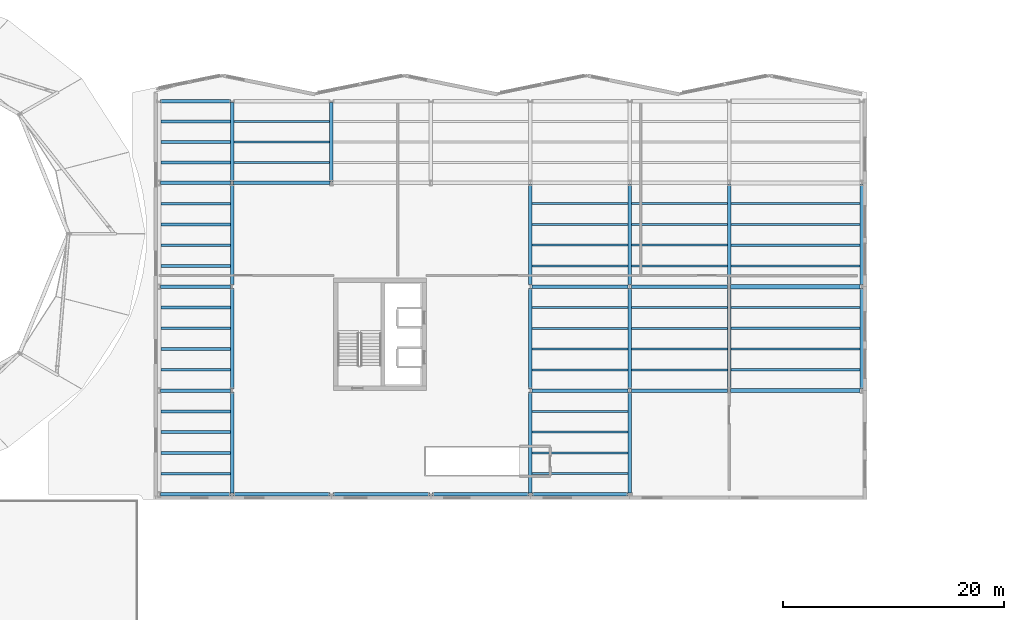
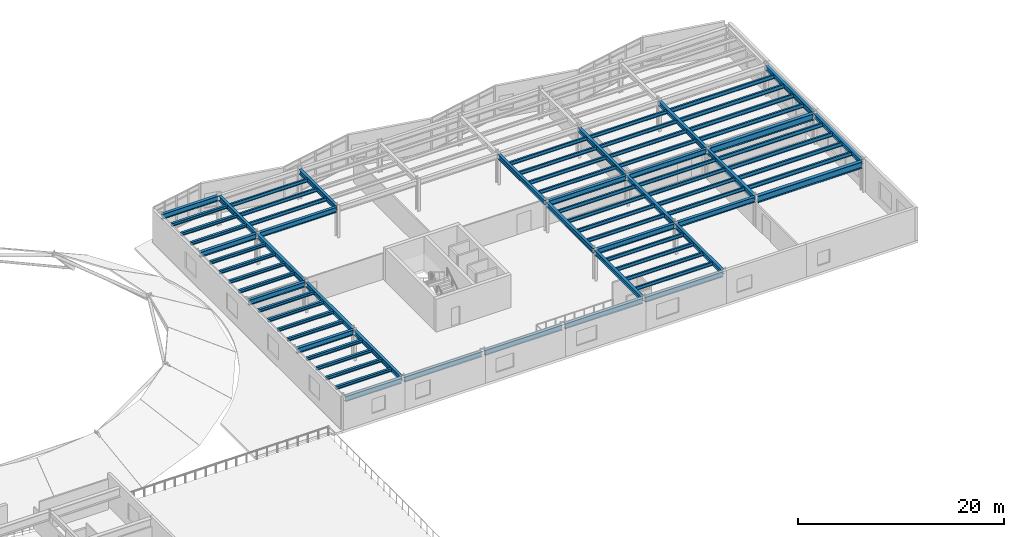
# One storey, part 17 of 59: 77 beams.
"""IFC4 building model written with IfcOpenShell, lengths in metres."""

from ifc_helpers import new_model, si_unit, direction, frame, origin, origin_2d, place, context, subcontext, project, spatial, i_section, extrude, material, material_profile, profile_set, type_object, element, save


model = new_model("IFC4")

# Units and contexts
model_context = context("Model", 3, precision=1e-05, world=origin(), true_north=direction((0.0, 1.0)))
body_context = subcontext(model_context, "Body", "Model", "MODEL_VIEW")
ifc_project = project(units=[si_unit("LENGTHUNIT", "METRE"), si_unit("AREAUNIT", "SQUARE_METRE"), si_unit("VOLUMEUNIT", "CUBIC_METRE"), si_unit("PLANEANGLEUNIT", "RADIAN"), si_unit("MASSUNIT", "GRAM", prefix="KILO")], contexts=[model_context])

# Site, building, storey
site_placement = place(None, origin())
site = spatial("IfcSite", under=ifc_project, at=site_placement, CompositionType="ELEMENT")
building_placement = place(site_placement, origin())
building = spatial("IfcBuilding", under=site, at=building_placement, Name="Sollismere Congress Hotel", CompositionType="ELEMENT")
storey_placement = place(building_placement, frame((0.0, 0.0, 15.60009765625)))
storey = spatial("IfcBuildingStorey", under=building, at=storey_placement, Name="L03", CompositionType="ELEMENT", Elevation=15.60009765625)

# Beams
ifc_material = material(Name="Steel ASTM A992 Grade 50", Category="steel")
ifc_material_profile_1 = material_profile(ifc_material, i_section(OverallWidth=0.31494140625, OverallDepth=0.551025390625, WebThickness=0.01513671875, FlangeThickness=0.0244140625, at=origin_2d()), Name="W21X122")
ifc_profile_set_1 = profile_set([ifc_material_profile_1], Name="Steel ASTM A992 Grade 50")
beam_type_1 = type_object("IfcBeamType", Name="BM-G21H", PredefinedType="BEAM", material=ifc_profile_set_1)
beam_1_placement = place(storey_placement, frame((67.0, 66.93994140625, 3.349365234375), z_axis=(0.0, 1.0, 0.0), x_axis=(-1.0, 0.0, 0.0)))
element("IfcBeam", 1, at=beam_1_placement, inside=storey, type_object=beam_type_1, Name="Beam BM-L03-2429", PredefinedType="BEAM", context=body_context, shape_type="SweptSolid", body=[
    extrude(i_section(OverallWidth=0.31494140625, OverallDepth=0.551025390625, WebThickness=0.01513671875, FlangeThickness=0.0244140625, at=origin_2d()), origin(), (0.0, 0.0, 1.0), 9.1201171875),
])
beam_2_placement = place(storey_placement, frame((67.0, 76.340087890625, 3.349365234375), z_axis=(0.0, 1.0, 0.0), x_axis=(-1.0, 0.0, 0.0)))
element("IfcBeam", 2, at=beam_2_placement, inside=storey, type_object=beam_type_1, Name="Beam BM-L03-2430", PredefinedType="BEAM", context=body_context, shape_type="SweptSolid", body=[
    extrude(i_section(OverallWidth=0.31494140625, OverallDepth=0.551025390625, WebThickness=0.01513671875, FlangeThickness=0.0244140625, at=origin_2d()), origin(), (0.0, 0.0, 1.0), 9.119873046875),
])
beam_3_placement = place(storey_placement, frame((67.0, 85.739990234375, 3.349365234375), z_axis=(0.0, 1.0, 0.0), x_axis=(-1.0, 0.0, 0.0)))
element("IfcBeam", 3, at=beam_3_placement, inside=storey, type_object=beam_type_1, Name="Beam BM-L03-2431", PredefinedType="BEAM", context=body_context, shape_type="SweptSolid", body=[
    extrude(i_section(OverallWidth=0.31494140625, OverallDepth=0.551025390625, WebThickness=0.01513671875, FlangeThickness=0.0244140625, at=origin_2d()), origin(), (0.0, 0.0, 1.0), 9.1201171875),
])
for number, where, z_axis, x_axis, name in (
    (4, (67.0, 95.139892578125, 3.349365234375), (0.0, 1.0, 0.0), (-1.0, 0.0, 0.0), "Beam BM-L03-2432"),
    (5, (76.0, 95.139892578125, 3.349365234375), (0.0, 1.0, 0.0), (-1.0, 0.0, 0.0), "Beam BM-L03-2435"),
):
    element("IfcBeam", number, at=place(storey_placement, frame(where, z_axis=z_axis, x_axis=x_axis)), inside=storey, type_object=beam_type_1, Name=name, PredefinedType="BEAM", context=body_context, shape_type="SweptSolid", body=[
        extrude(i_section(OverallWidth=0.31494140625, OverallDepth=0.551025390625, WebThickness=0.01513671875, FlangeThickness=0.0244140625, at=origin_2d()), origin(), (0.0, 0.0, 1.0), 7.1201171875),
    ])
beam_4_placement = place(storey_placement, frame((94.0, 66.93994140625, 3.349365234375), z_axis=(0.0, 1.0, 0.0), x_axis=(-1.0, 0.0, 0.0)))
element("IfcBeam", 6, at=beam_4_placement, inside=storey, type_object=beam_type_1, Name="Beam BM-L03-2440", PredefinedType="BEAM", context=body_context, shape_type="SweptSolid", body=[
    extrude(i_section(OverallWidth=0.31494140625, OverallDepth=0.551025390625, WebThickness=0.01513671875, FlangeThickness=0.0244140625, at=origin_2d()), origin(), (0.0, 0.0, 1.0), 9.1201171875),
])
beam_5_placement = place(storey_placement, frame((94.0, 76.340087890625, 3.349365234375), z_axis=(0.0, 1.0, 0.0), x_axis=(-1.0, 0.0, 0.0)))
element("IfcBeam", 7, at=beam_5_placement, inside=storey, type_object=beam_type_1, Name="Beam BM-L03-2441", PredefinedType="BEAM", context=body_context, shape_type="SweptSolid", body=[
    extrude(i_section(OverallWidth=0.31494140625, OverallDepth=0.551025390625, WebThickness=0.01513671875, FlangeThickness=0.0244140625, at=origin_2d()), origin(), (0.0, 0.0, 1.0), 9.119873046875),
])
for number, where, z_axis, x_axis, name in (
    (8, (94.0, 85.739990234375, 3.349365234375), (0.0, 1.0, 0.0), (-1.0, 0.0, 0.0), "Beam BM-L03-2442"),
    (9, (103.0, 66.93994140625, 3.349365234375), (0.0, 1.0, 0.0), (-1.0, 0.0, 0.0), "Beam BM-L03-2445"),
):
    element("IfcBeam", number, at=place(storey_placement, frame(where, z_axis=z_axis, x_axis=x_axis)), inside=storey, type_object=beam_type_1, Name=name, PredefinedType="BEAM", context=body_context, shape_type="SweptSolid", body=[
        extrude(i_section(OverallWidth=0.31494140625, OverallDepth=0.551025390625, WebThickness=0.01513671875, FlangeThickness=0.0244140625, at=origin_2d()), origin(), (0.0, 0.0, 1.0), 9.1201171875),
    ])
beam_6_placement = place(storey_placement, frame((103.0, 76.340087890625, 3.349365234375), z_axis=(0.0, 1.0, 0.0), x_axis=(-1.0, 0.0, 0.0)))
element("IfcBeam", 10, at=beam_6_placement, inside=storey, type_object=beam_type_1, Name="Beam BM-L03-2446", PredefinedType="BEAM", context=body_context, shape_type="SweptSolid", body=[
    extrude(i_section(OverallWidth=0.31494140625, OverallDepth=0.551025390625, WebThickness=0.01513671875, FlangeThickness=0.0244140625, at=origin_2d()), origin(), (0.0, 0.0, 1.0), 9.119873046875),
])
beam_7_placement = place(storey_placement, frame((103.0, 85.739990234375, 3.349365234375), z_axis=(0.0, 1.0, 0.0), x_axis=(-1.0, 0.0, 0.0)))
element("IfcBeam", 11, at=beam_7_placement, inside=storey, type_object=beam_type_1, Name="Beam BM-L03-2447", PredefinedType="BEAM", context=body_context, shape_type="SweptSolid", body=[
    extrude(i_section(OverallWidth=0.31494140625, OverallDepth=0.551025390625, WebThickness=0.01513671875, FlangeThickness=0.0244140625, at=origin_2d()), origin(), (0.0, 0.0, 1.0), 9.1201171875),
])
beam_8_placement = place(storey_placement, frame((112.0, 76.340087890625, 3.349365234375), z_axis=(0.0, 1.0, 0.0), x_axis=(-1.0, 0.0, 0.0)))
element("IfcBeam", 12, at=beam_8_placement, inside=storey, type_object=beam_type_1, Name="Beam BM-L03-2451", PredefinedType="BEAM", context=body_context, shape_type="SweptSolid", body=[
    extrude(i_section(OverallWidth=0.31494140625, OverallDepth=0.551025390625, WebThickness=0.01513671875, FlangeThickness=0.0244140625, at=origin_2d()), origin(), (0.0, 0.0, 1.0), 9.119873046875),
])
beam_9_placement = place(storey_placement, frame((112.0, 85.739990234375, 3.349365234375), z_axis=(0.0, 1.0, 0.0), x_axis=(-1.0, 0.0, 0.0)))
element("IfcBeam", 13, at=beam_9_placement, inside=storey, type_object=beam_type_1, Name="Beam BM-L03-2452", PredefinedType="BEAM", context=body_context, shape_type="SweptSolid", body=[
    extrude(i_section(OverallWidth=0.31494140625, OverallDepth=0.551025390625, WebThickness=0.01513671875, FlangeThickness=0.0244140625, at=origin_2d()), origin(), (0.0, 0.0, 1.0), 9.1201171875),
])
beam_10_placement = place(storey_placement, frame((124.0, 76.340087890625, 3.349365234375), z_axis=(0.0, 1.0, 0.0), x_axis=(-1.0, 0.0, 0.0)))
element("IfcBeam", 14, at=beam_10_placement, inside=storey, type_object=beam_type_1, Name="Beam BM-L03-2456", PredefinedType="BEAM", context=body_context, shape_type="SweptSolid", body=[
    extrude(i_section(OverallWidth=0.31494140625, OverallDepth=0.551025390625, WebThickness=0.01513671875, FlangeThickness=0.0244140625, at=origin_2d()), origin(), (0.0, 0.0, 1.0), 9.119873046875),
])
beam_11_placement = place(storey_placement, frame((124.0, 85.739990234375, 3.349365234375), z_axis=(0.0, 1.0, 0.0), x_axis=(-1.0, 0.0, 0.0)))
element("IfcBeam", 15, at=beam_11_placement, inside=storey, type_object=beam_type_1, Name="Beam BM-L03-2457", PredefinedType="BEAM", context=body_context, shape_type="SweptSolid", body=[
    extrude(i_section(OverallWidth=0.31494140625, OverallDepth=0.551025390625, WebThickness=0.01513671875, FlangeThickness=0.0244140625, at=origin_2d()), origin(), (0.0, 0.0, 1.0), 9.1201171875),
])
ifc_material_profile_2 = material_profile(ifc_material, i_section(OverallWidth=0.324951171875, OverallDepth=0.612060546875, WebThickness=0.0126953125, FlangeThickness=0.01904296875, at=origin_2d()), Name="W24X104")
ifc_profile_set_2 = profile_set([ifc_material_profile_2], Name="Steel ASTM A992 Grade 50")
beam_type_2 = type_object("IfcBeamType", Name="BM-G24", PredefinedType="BEAM", material=ifc_profile_set_2)
beam_12_placement = place(storey_placement, frame((60.5400390625, 66.800048828125, 3.31884765625), z_axis=(1.0, 0.0, 0.0), x_axis=(0.0, 1.0, 0.0)))
element("IfcBeam", 16, at=beam_12_placement, inside=storey, type_object=beam_type_2, Name="Beam BM-L03-2376", PredefinedType="BEAM", context=body_context, shape_type="SweptSolid", body=[
    extrude(i_section(OverallWidth=0.324951171875, OverallDepth=0.612060546875, WebThickness=0.0126953125, FlangeThickness=0.01904296875, at=origin_2d()), origin(), (0.0, 0.0, 1.0), 6.320068359375),
])
for number, where, z_axis, x_axis, name in (
    (17, (67.139892578125, 66.800048828125, 3.31884765625), (1.0, 0.0, 0.0), (0.0, 1.0, 0.0), "Beam BM-L03-2377"),
    (18, (76.139892578125, 66.800048828125, 3.31884765625), (1.0, 0.0, 0.0), (0.0, 1.0, 0.0), "Beam BM-L03-2378"),
    (19, (85.139892578125, 66.800048828125, 3.31884765625), (1.0, 0.0, 0.0), (0.0, 1.0, 0.0), "Beam BM-L03-2379"),
    (20, (94.139892578125, 66.800048828125, 3.31884765625), (1.0, 0.0, 0.0), (0.0, 1.0, 0.0), "Beam BM-L03-2380"),
):
    element("IfcBeam", number, at=place(storey_placement, frame(where, z_axis=z_axis, x_axis=x_axis)), inside=storey, type_object=beam_type_2, Name=name, PredefinedType="BEAM", context=body_context, shape_type="SweptSolid", body=[
        extrude(i_section(OverallWidth=0.324951171875, OverallDepth=0.612060546875, WebThickness=0.0126953125, FlangeThickness=0.01904296875, at=origin_2d()), origin(), (0.0, 0.0, 1.0), 8.72021484375),
    ])
beam_13_placement = place(storey_placement, frame((60.5400390625, 76.199951171875, 3.31884765625), z_axis=(1.0, 0.0, 0.0), x_axis=(0.0, 1.0, 0.0)))
element("IfcBeam", 21, at=beam_13_placement, inside=storey, type_object=beam_type_2, Name="Beam BM-L03-2383", PredefinedType="BEAM", context=body_context, shape_type="SweptSolid", body=[
    extrude(i_section(OverallWidth=0.324951171875, OverallDepth=0.612060546875, WebThickness=0.0126953125, FlangeThickness=0.01904296875, at=origin_2d()), origin(), (0.0, 0.0, 1.0), 6.320068359375),
])
for number, where, z_axis, x_axis, name in (
    (22, (94.139892578125, 76.199951171875, 3.31884765625), (1.0, 0.0, 0.0), (0.0, 1.0, 0.0), "Beam BM-L03-2384"),
    (23, (103.139892578125, 76.199951171875, 3.31884765625), (1.0, 0.0, 0.0), (0.0, 1.0, 0.0), "Beam BM-L03-2385"),
):
    element("IfcBeam", number, at=place(storey_placement, frame(where, z_axis=z_axis, x_axis=x_axis)), inside=storey, type_object=beam_type_2, Name=name, PredefinedType="BEAM", context=body_context, shape_type="SweptSolid", body=[
        extrude(i_section(OverallWidth=0.324951171875, OverallDepth=0.612060546875, WebThickness=0.0126953125, FlangeThickness=0.01904296875, at=origin_2d()), origin(), (0.0, 0.0, 1.0), 8.72021484375),
    ])
beam_14_placement = place(storey_placement, frame((60.5400390625, 85.60009765625, 3.31884765625), z_axis=(1.0, 0.0, 0.0), x_axis=(0.0, 1.0, 0.0)))
element("IfcBeam", 24, at=beam_14_placement, inside=storey, type_object=beam_type_2, Name="Beam BM-L03-2387", PredefinedType="BEAM", context=body_context, shape_type="SweptSolid", body=[
    extrude(i_section(OverallWidth=0.324951171875, OverallDepth=0.612060546875, WebThickness=0.0126953125, FlangeThickness=0.01904296875, at=origin_2d()), origin(), (0.0, 0.0, 1.0), 6.320068359375),
])
for number, where, z_axis, x_axis, name in (
    (25, (94.139892578125, 85.60009765625, 3.31884765625), (1.0, 0.0, 0.0), (0.0, 1.0, 0.0), "Beam BM-L03-2388"),
    (26, (103.139892578125, 85.60009765625, 3.31884765625), (1.0, 0.0, 0.0), (0.0, 1.0, 0.0), "Beam BM-L03-2389"),
):
    element("IfcBeam", number, at=place(storey_placement, frame(where, z_axis=z_axis, x_axis=x_axis)), inside=storey, type_object=beam_type_2, Name=name, PredefinedType="BEAM", context=body_context, shape_type="SweptSolid", body=[
        extrude(i_section(OverallWidth=0.324951171875, OverallDepth=0.612060546875, WebThickness=0.0126953125, FlangeThickness=0.01904296875, at=origin_2d()), origin(), (0.0, 0.0, 1.0), 8.72021484375),
    ])
beam_15_placement = place(storey_placement, frame((60.5400390625, 95.0, 3.31884765625), z_axis=(1.0, 0.0, 0.0), x_axis=(0.0, 1.0, 0.0)))
element("IfcBeam", 27, at=beam_15_placement, inside=storey, type_object=beam_type_2, Name="Beam BM-L03-2391", PredefinedType="BEAM", context=body_context, shape_type="SweptSolid", body=[
    extrude(i_section(OverallWidth=0.324951171875, OverallDepth=0.612060546875, WebThickness=0.0126953125, FlangeThickness=0.01904296875, at=origin_2d()), origin(), (0.0, 0.0, 1.0), 6.320068359375),
])
beam_16_placement = place(storey_placement, frame((67.139892578125, 95.0, 3.31884765625), z_axis=(1.0, 0.0, 0.0), x_axis=(0.0, 1.0, 0.0)))
element("IfcBeam", 28, at=beam_16_placement, inside=storey, type_object=beam_type_2, Name="Beam BM-L03-2392", PredefinedType="BEAM", context=body_context, shape_type="SweptSolid", body=[
    extrude(i_section(OverallWidth=0.324951171875, OverallDepth=0.612060546875, WebThickness=0.0126953125, FlangeThickness=0.01904296875, at=origin_2d()), origin(), (0.0, 0.0, 1.0), 8.72021484375),
])
beam_17_placement = place(storey_placement, frame((60.531005859375, 102.39990234375, 3.31884765625), z_axis=(1.0, 0.0, 0.0), x_axis=(0.0, 1.0, 0.0)))
element("IfcBeam", 29, at=beam_17_placement, inside=storey, type_object=beam_type_2, Name="Beam BM-L03-2398", PredefinedType="BEAM", context=body_context, shape_type="SweptSolid", body=[
    extrude(i_section(OverallWidth=0.324951171875, OverallDepth=0.612060546875, WebThickness=0.0126953125, FlangeThickness=0.01904296875, at=origin_2d()), origin(), (0.0, 0.0, 1.0), 6.337890625),
])
ifc_material_profile_3 = material_profile(ifc_material, i_section(OverallWidth=0.384033203125, OverallDepth=0.787109375, WebThickness=0.019775390625, FlangeThickness=0.033447265625, at=origin_2d()), Name="W30X211")
ifc_profile_set_3 = profile_set([ifc_material_profile_3], Name="Steel ASTM A992 Grade 50")
beam_type_3 = type_object("IfcBeamType", Name="BM-G30", PredefinedType="BEAM", material=ifc_profile_set_3)
for number, where, z_axis, x_axis, name in (
    (30, (112.139892578125, 76.199951171875, 3.2314453125), (1.0, 0.0, 0.0), (0.0, 1.0, 0.0), "Beam BM-L03-2386"),
    (31, (112.139892578125, 85.60009765625, 3.2314453125), (1.0, 0.0, 0.0), (0.0, 1.0, 0.0), "Beam BM-L03-2390"),
):
    element("IfcBeam", number, at=place(storey_placement, frame(where, z_axis=z_axis, x_axis=x_axis)), inside=storey, type_object=beam_type_3, Name=name, PredefinedType="BEAM", context=body_context, shape_type="SweptSolid", body=[
        extrude(i_section(OverallWidth=0.384033203125, OverallDepth=0.787109375, WebThickness=0.019775390625, FlangeThickness=0.033447265625, at=origin_2d()), origin(), (0.0, 0.0, 1.0), 11.72021484375),
    ])
ifc_material_profile_4 = material_profile(ifc_material, i_section(OverallWidth=0.25390625, OverallDepth=0.35595703125, WebThickness=0.010498046875, FlangeThickness=0.018310546875, at=origin_2d()), Name="W14X68")
ifc_profile_set_4 = profile_set([ifc_material_profile_4], Name="Steel ASTM A992 Grade 50")
beam_type_4 = type_object("IfcBeamType", Name="BM-J14", PredefinedType="JOIST", material=ifc_profile_set_4)
for number, where, z_axis, x_axis, name in (
    (32, (60.5576171875, 68.679931640625, 3.447021484375), (1.0, 0.0, 0.0), (0.0, 1.0, 0.0), "Beam BM-L03-2516"),
    (33, (60.5576171875, 70.56005859375, 3.447021484375), (1.0, 0.0, 0.0), (0.0, 1.0, 0.0), "Beam BM-L03-2517"),
    (34, (60.5576171875, 72.43994140625, 3.447021484375), (1.0, 0.0, 0.0), (0.0, 1.0, 0.0), "Beam BM-L03-2518"),
    (35, (60.5576171875, 74.320068359375, 3.447021484375), (1.0, 0.0, 0.0), (0.0, 1.0, 0.0), "Beam BM-L03-2519"),
    (36, (60.5576171875, 78.080078125, 3.447021484375), (1.0, 0.0, 0.0), (0.0, 1.0, 0.0), "Beam BM-L03-2520"),
    (37, (60.5576171875, 79.9599609375, 3.447021484375), (1.0, 0.0, 0.0), (0.0, 1.0, 0.0), "Beam BM-L03-2521"),
    (38, (60.5576171875, 81.840087890625, 3.447021484375), (1.0, 0.0, 0.0), (0.0, 1.0, 0.0), "Beam BM-L03-2522"),
    (39, (60.5576171875, 83.719970703125, 3.447021484375), (1.0, 0.0, 0.0), (0.0, 1.0, 0.0), "Beam BM-L03-2523"),
    (40, (60.5576171875, 87.47998046875, 3.447021484375), (1.0, 0.0, 0.0), (0.0, 1.0, 0.0), "Beam BM-L03-2524"),
    (41, (60.5576171875, 89.360107421875, 3.447021484375), (1.0, 0.0, 0.0), (0.0, 1.0, 0.0), "Beam BM-L03-2525"),
    (42, (60.5576171875, 91.239990234375, 3.447021484375), (1.0, 0.0, 0.0), (0.0, 1.0, 0.0), "Beam BM-L03-2526"),
    (43, (60.5576171875, 93.1201171875, 3.447021484375), (1.0, 0.0, 0.0), (0.0, 1.0, 0.0), "Beam BM-L03-2527"),
    (44, (60.5576171875, 96.85009765625, 3.447021484375), (1.0, 0.0, 0.0), (0.0, 1.0, 0.0), "Beam BM-L03-2528"),
    (45, (60.5576171875, 98.699951171875, 3.447021484375), (1.0, 0.0, 0.0), (0.0, 1.0, 0.0), "Beam BM-L03-2529"),
    (46, (60.5576171875, 100.550048828125, 3.447021484375), (1.0, 0.0, 0.0), (0.0, 1.0, 0.0), "Beam BM-L03-2530"),
):
    element("IfcBeam", number, at=place(storey_placement, frame(where, z_axis=z_axis, x_axis=x_axis)), inside=storey, type_object=beam_type_4, Name=name, PredefinedType="JOIST", context=body_context, shape_type="SweptSolid", body=[
        extrude(i_section(OverallWidth=0.25390625, OverallDepth=0.35595703125, WebThickness=0.010498046875, FlangeThickness=0.018310546875, at=origin_2d()), origin(), (0.0, 0.0, 1.0), 6.284912109375),
    ])
ifc_material_profile_5 = material_profile(ifc_material, i_section(OverallWidth=0.180908203125, OverallDepth=0.4169921875, WebThickness=0.010986328125, FlangeThickness=0.018310546875, at=origin_2d()), Name="W16X57")
ifc_profile_set_5 = profile_set([ifc_material_profile_5], Name="Steel ASTM A992 Grade 50")
beam_type_5 = type_object("IfcBeamType", Name="BM-J16", PredefinedType="JOIST", material=ifc_profile_set_5)
for number, where, z_axis, x_axis, name in (
    (47, (67.157470703125, 96.85009765625, 3.41650390625), (1.0, 0.0, 0.0), (0.0, 1.0, 0.0), "Beam BM-L03-2539"),
    (48, (67.157470703125, 98.699951171875, 3.41650390625), (1.0, 0.0, 0.0), (0.0, 1.0, 0.0), "Beam BM-L03-2540"),
    (49, (67.157470703125, 100.550048828125, 3.41650390625), (1.0, 0.0, 0.0), (0.0, 1.0, 0.0), "Beam BM-L03-2541"),
    (50, (94.157470703125, 68.679931640625, 3.41650390625), (1.0, 0.0, 0.0), (0.0, 1.0, 0.0), "Beam BM-L03-2564"),
    (51, (94.157470703125, 70.56005859375, 3.41650390625), (1.0, 0.0, 0.0), (0.0, 1.0, 0.0), "Beam BM-L03-2565"),
    (52, (94.157470703125, 72.43994140625, 3.41650390625), (1.0, 0.0, 0.0), (0.0, 1.0, 0.0), "Beam BM-L03-2566"),
    (53, (94.157470703125, 74.320068359375, 3.41650390625), (1.0, 0.0, 0.0), (0.0, 1.0, 0.0), "Beam BM-L03-2567"),
    (54, (94.157470703125, 78.080078125, 3.41650390625), (1.0, 0.0, 0.0), (0.0, 1.0, 0.0), "Beam BM-L03-2568"),
    (55, (94.157470703125, 79.9599609375, 3.41650390625), (1.0, 0.0, 0.0), (0.0, 1.0, 0.0), "Beam BM-L03-2569"),
    (56, (94.157470703125, 81.840087890625, 3.41650390625), (1.0, 0.0, 0.0), (0.0, 1.0, 0.0), "Beam BM-L03-2570"),
    (57, (94.157470703125, 83.719970703125, 3.41650390625), (1.0, 0.0, 0.0), (0.0, 1.0, 0.0), "Beam BM-L03-2571"),
    (58, (94.157470703125, 87.47998046875, 3.41650390625), (1.0, 0.0, 0.0), (0.0, 1.0, 0.0), "Beam BM-L03-2572"),
    (59, (94.157470703125, 89.360107421875, 3.41650390625), (1.0, 0.0, 0.0), (0.0, 1.0, 0.0), "Beam BM-L03-2573"),
    (60, (94.157470703125, 91.239990234375, 3.41650390625), (1.0, 0.0, 0.0), (0.0, 1.0, 0.0), "Beam BM-L03-2574"),
    (61, (94.157470703125, 93.1201171875, 3.41650390625), (1.0, 0.0, 0.0), (0.0, 1.0, 0.0), "Beam BM-L03-2575"),
    (62, (103.157470703125, 78.080078125, 3.41650390625), (1.0, 0.0, 0.0), (0.0, 1.0, 0.0), "Beam BM-L03-2583"),
    (63, (103.157470703125, 79.9599609375, 3.41650390625), (1.0, 0.0, 0.0), (0.0, 1.0, 0.0), "Beam BM-L03-2584"),
    (64, (103.157470703125, 81.840087890625, 3.41650390625), (1.0, 0.0, 0.0), (0.0, 1.0, 0.0), "Beam BM-L03-2585"),
    (65, (103.157470703125, 83.719970703125, 3.41650390625), (1.0, 0.0, 0.0), (0.0, 1.0, 0.0), "Beam BM-L03-2586"),
    (66, (103.157470703125, 87.47998046875, 3.41650390625), (1.0, 0.0, 0.0), (0.0, 1.0, 0.0), "Beam BM-L03-2587"),
    (67, (103.157470703125, 89.360107421875, 3.41650390625), (1.0, 0.0, 0.0), (0.0, 1.0, 0.0), "Beam BM-L03-2588"),
    (68, (103.157470703125, 91.239990234375, 3.41650390625), (1.0, 0.0, 0.0), (0.0, 1.0, 0.0), "Beam BM-L03-2589"),
    (69, (103.157470703125, 93.1201171875, 3.41650390625), (1.0, 0.0, 0.0), (0.0, 1.0, 0.0), "Beam BM-L03-2590"),
):
    element("IfcBeam", number, at=place(storey_placement, frame(where, z_axis=z_axis, x_axis=x_axis)), inside=storey, type_object=beam_type_5, Name=name, PredefinedType="JOIST", context=body_context, shape_type="SweptSolid", body=[
        extrude(i_section(OverallWidth=0.180908203125, OverallDepth=0.4169921875, WebThickness=0.010986328125, FlangeThickness=0.018310546875, at=origin_2d()), origin(), (0.0, 0.0, 1.0), 8.68505859375),
    ])
ifc_material_profile_6 = material_profile(ifc_material, i_section(OverallWidth=0.193115234375, OverallDepth=0.467041015625, WebThickness=0.011474609375, FlangeThickness=0.01904296875, at=origin_2d()), Name="W18X65")
ifc_profile_set_6 = profile_set([ifc_material_profile_6], Name="Steel ASTM A992 Grade 50")
beam_type_6 = type_object("IfcBeamType", Name="BM-J18", PredefinedType="JOIST", material=ifc_profile_set_6)
for number, where, z_axis, x_axis, name in (
    (70, (112.157470703125, 78.080078125, 3.391357421875), (1.0, 0.0, 0.0), (0.0, 1.0, 0.0), "Beam BM-L03-2602"),
    (71, (112.157470703125, 79.9599609375, 3.391357421875), (1.0, 0.0, 0.0), (0.0, 1.0, 0.0), "Beam BM-L03-2603"),
    (72, (112.157470703125, 81.840087890625, 3.391357421875), (1.0, 0.0, 0.0), (0.0, 1.0, 0.0), "Beam BM-L03-2604"),
    (73, (112.157470703125, 83.719970703125, 3.391357421875), (1.0, 0.0, 0.0), (0.0, 1.0, 0.0), "Beam BM-L03-2605"),
    (74, (112.157470703125, 87.47998046875, 3.391357421875), (1.0, 0.0, 0.0), (0.0, 1.0, 0.0), "Beam BM-L03-2606"),
    (75, (112.157470703125, 89.360107421875, 3.391357421875), (1.0, 0.0, 0.0), (0.0, 1.0, 0.0), "Beam BM-L03-2607"),
    (76, (112.157470703125, 91.239990234375, 3.391357421875), (1.0, 0.0, 0.0), (0.0, 1.0, 0.0), "Beam BM-L03-2608"),
    (77, (112.157470703125, 93.1201171875, 3.391357421875), (1.0, 0.0, 0.0), (0.0, 1.0, 0.0), "Beam BM-L03-2609"),
):
    element("IfcBeam", number, at=place(storey_placement, frame(where, z_axis=z_axis, x_axis=x_axis)), inside=storey, type_object=beam_type_6, Name=name, PredefinedType="JOIST", context=body_context, shape_type="SweptSolid", body=[
        extrude(i_section(OverallWidth=0.193115234375, OverallDepth=0.467041015625, WebThickness=0.011474609375, FlangeThickness=0.01904296875, at=origin_2d()), origin(), (0.0, 0.0, 1.0), 11.68505859375),
    ])

save(model, "model.ifc")
